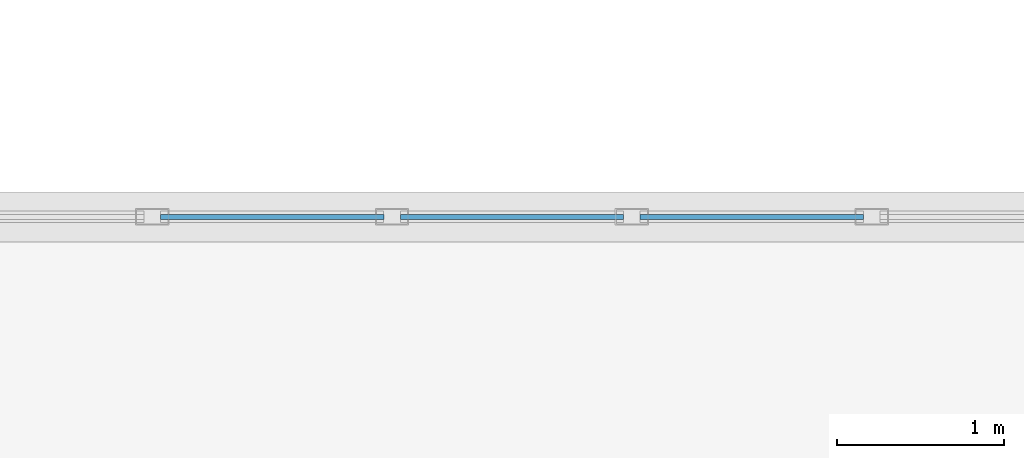
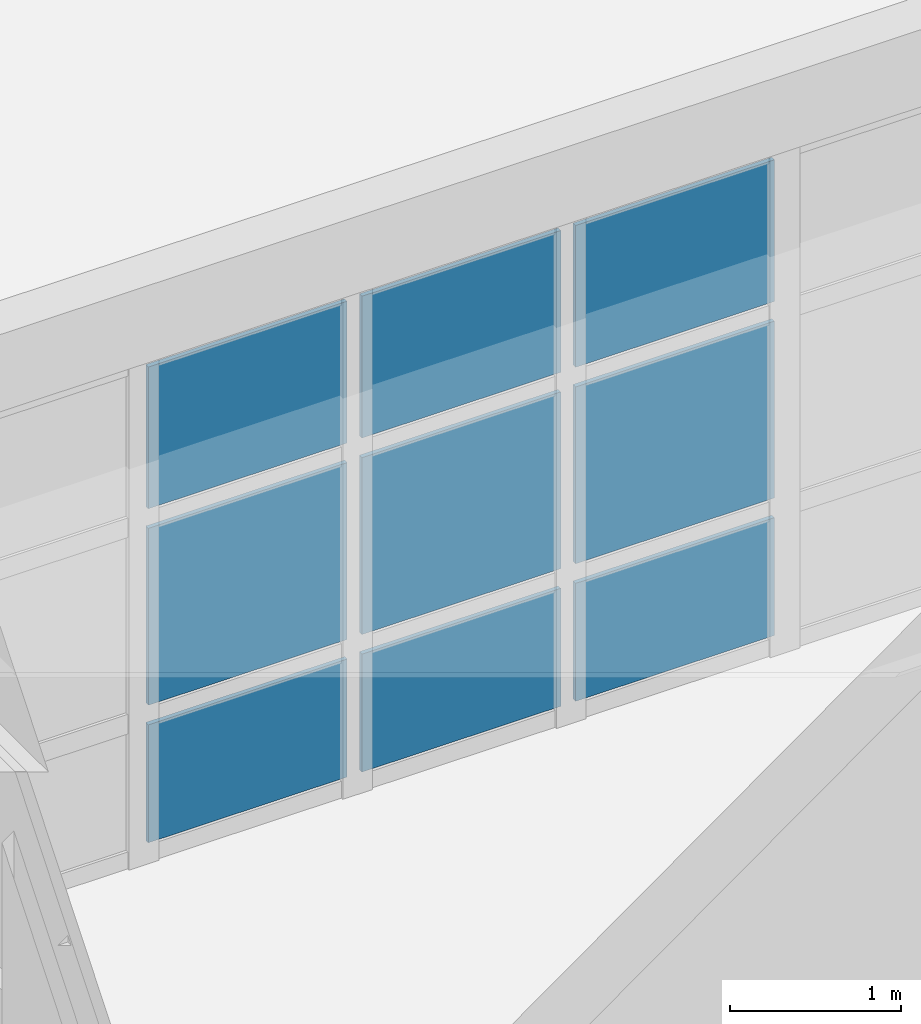
# One storey, part 110 of 166: 9 plates, 1 element without a shape of its own.
"""IFC4 building model written with IfcOpenShell, lengths in metres."""

from ifc_helpers import new_model, si_unit, direction, frame, origin, origin_2d, place, context, subcontext, project, spatial, rectangle, extrude, material, layer, layer_set, type_object, element, aggregate, save


model = new_model("IFC4")

# Units and contexts
model_context = context("Model", 3, precision=1e-05, world=origin(), true_north=direction((0.0, 1.0)))
body_context = subcontext(model_context, "Body", "Model", "MODEL_VIEW")
ifc_project = project(units=[si_unit("LENGTHUNIT", "METRE"), si_unit("AREAUNIT", "SQUARE_METRE"), si_unit("VOLUMEUNIT", "CUBIC_METRE"), si_unit("PLANEANGLEUNIT", "RADIAN"), si_unit("MASSUNIT", "GRAM", prefix="KILO")], contexts=[model_context])

# Site, building, storey
site_placement = place(None, origin())
site = spatial("IfcSite", under=ifc_project, at=site_placement, CompositionType="ELEMENT")
building_placement = place(site_placement, origin())
building = spatial("IfcBuilding", under=site, at=building_placement, Name="Kharva Crest Polytechnic", CompositionType="ELEMENT")
storey_placement = place(building_placement, origin())
storey = spatial("IfcBuildingStorey", under=building, at=storey_placement, Name="L00", CompositionType="ELEMENT", Elevation=0.0)

# Curtain wall, plates
ifc_material = material(Name="Tempered insulated glass", Category="glass")
curtain_wall_type = type_object("IfcCurtainWallType", Name="CW-SYS-REFECTORY", PredefinedType="USERDEFINED", material=ifc_material)
curtain_wall_placement = place(storey_placement, origin())
curtain_wall = element("IfcCurtainWall", 1, at=curtain_wall_placement, inside=storey, type_object=curtain_wall_type, Name="L00 Glazed Curtain Wall CW-007", ObjectType="CURTAIN WALL", PredefinedType="USERDEFINED")
ifc_layer = layer(ifc_material, 0.030029296875, Name="Tempered insulated glass")
ifc_layer_set = layer_set([ifc_layer], Name="Tempered insulated glass")
plate_type = type_object("IfcPlateType", Name="CWP-GLZ-30", PredefinedType="CURTAIN_PANEL", material=ifc_layer_set)
plate_1_placement = place(storey_placement, frame((126.2451171875, 38.0, 0.14013671875), z_axis=(0.0, 0.0, 1.0), x_axis=(-1.0, 0.0, 0.0)))
plate_1 = element("IfcPlate", 2, at=plate_1_placement, type_object=plate_type, Name="CW-007 panel 2.1", PredefinedType="CURTAIN_PANEL", context=body_context, shape_type="SweptSolid", body=[
    extrude(rectangle(XDim=1.340087890625, YDim=0.030029296875, at=origin_2d()), origin(), (0.0, 0.0, 1.0), 0.840087890625),
])
plate_2_placement = place(storey_placement, frame((126.2451171875, 38.0, 1.1201171875), z_axis=(0.0, 0.0, 1.0), x_axis=(-1.0, 0.0, 0.0)))
plate_2 = element("IfcPlate", 3, at=plate_2_placement, type_object=plate_type, Name="CW-007 panel 2.2", PredefinedType="CURTAIN_PANEL", context=body_context, shape_type="SweptSolid", body=[
    extrude(rectangle(XDim=1.340087890625, YDim=0.030029296875, at=origin_2d()), origin(), (0.0, 0.0, 1.0), 1.260009765625),
])
plate_3_placement = place(storey_placement, frame((126.2451171875, 38.0, 2.52001953125), z_axis=(0.0, 0.0, 1.0), x_axis=(-1.0, 0.0, 0.0)))
plate_3 = element("IfcPlate", 4, at=plate_3_placement, type_object=plate_type, Name="CW-007 panel 2.3", PredefinedType="CURTAIN_PANEL", context=body_context, shape_type="SweptSolid", body=[
    extrude(rectangle(XDim=1.340087890625, YDim=0.030029296875, at=origin_2d()), origin(), (0.0, 0.0, 1.0), 1.010009765625),
])
plate_4_placement = place(storey_placement, frame((124.804931640625, 38.0, 0.14013671875), z_axis=(0.0, 0.0, 1.0), x_axis=(-1.0, 0.0, 0.0)))
plate_4 = element("IfcPlate", 5, at=plate_4_placement, type_object=plate_type, Name="CW-007 panel 3.1", PredefinedType="CURTAIN_PANEL", context=body_context, shape_type="SweptSolid", body=[
    extrude(rectangle(XDim=1.340087890625, YDim=0.030029296875, at=origin_2d()), origin(), (0.0, 0.0, 1.0), 0.840087890625),
])
plate_5_placement = place(storey_placement, frame((124.804931640625, 38.0, 1.1201171875), z_axis=(0.0, 0.0, 1.0), x_axis=(-1.0, 0.0, 0.0)))
plate_5 = element("IfcPlate", 6, at=plate_5_placement, type_object=plate_type, Name="CW-007 panel 3.2", PredefinedType="CURTAIN_PANEL", context=body_context, shape_type="SweptSolid", body=[
    extrude(rectangle(XDim=1.340087890625, YDim=0.030029296875, at=origin_2d()), origin(), (0.0, 0.0, 1.0), 1.260009765625),
])
plate_6_placement = place(storey_placement, frame((124.804931640625, 38.0, 2.52001953125), z_axis=(0.0, 0.0, 1.0), x_axis=(-1.0, 0.0, 0.0)))
plate_6 = element("IfcPlate", 7, at=plate_6_placement, type_object=plate_type, Name="CW-007 panel 3.3", PredefinedType="CURTAIN_PANEL", context=body_context, shape_type="SweptSolid", body=[
    extrude(rectangle(XDim=1.340087890625, YDim=0.030029296875, at=origin_2d()), origin(), (0.0, 0.0, 1.0), 1.010009765625),
])
plate_7_placement = place(storey_placement, frame((123.364990234375, 38.0, 0.14013671875), z_axis=(0.0, 0.0, 1.0), x_axis=(-1.0, 0.0, 0.0)))
plate_7 = element("IfcPlate", 8, at=plate_7_placement, type_object=plate_type, Name="CW-007 panel 4.1", PredefinedType="CURTAIN_PANEL", context=body_context, shape_type="SweptSolid", body=[
    extrude(rectangle(XDim=1.340087890625, YDim=0.030029296875, at=origin_2d()), origin(), (0.0, 0.0, 1.0), 0.840087890625),
])
plate_8_placement = place(storey_placement, frame((123.364990234375, 38.0, 1.1201171875), z_axis=(0.0, 0.0, 1.0), x_axis=(-1.0, 0.0, 0.0)))
plate_8 = element("IfcPlate", 9, at=plate_8_placement, type_object=plate_type, Name="CW-007 panel 4.2", PredefinedType="CURTAIN_PANEL", context=body_context, shape_type="SweptSolid", body=[
    extrude(rectangle(XDim=1.340087890625, YDim=0.030029296875, at=origin_2d()), origin(), (0.0, 0.0, 1.0), 1.260009765625),
])
plate_9_placement = place(storey_placement, frame((123.364990234375, 38.0, 2.52001953125), z_axis=(0.0, 0.0, 1.0), x_axis=(-1.0, 0.0, 0.0)))
plate_9 = element("IfcPlate", 10, at=plate_9_placement, type_object=plate_type, Name="CW-007 panel 4.3", PredefinedType="CURTAIN_PANEL", context=body_context, shape_type="SweptSolid", body=[
    extrude(rectangle(XDim=1.340087890625, YDim=0.030029296875, at=origin_2d()), origin(), (0.0, 0.0, 1.0), 1.010009765625),
])
aggregate(curtain_wall, [plate_1, plate_2, plate_3, plate_4, plate_5, plate_6, plate_7, plate_8, plate_9])

save(model, "model.ifc")
